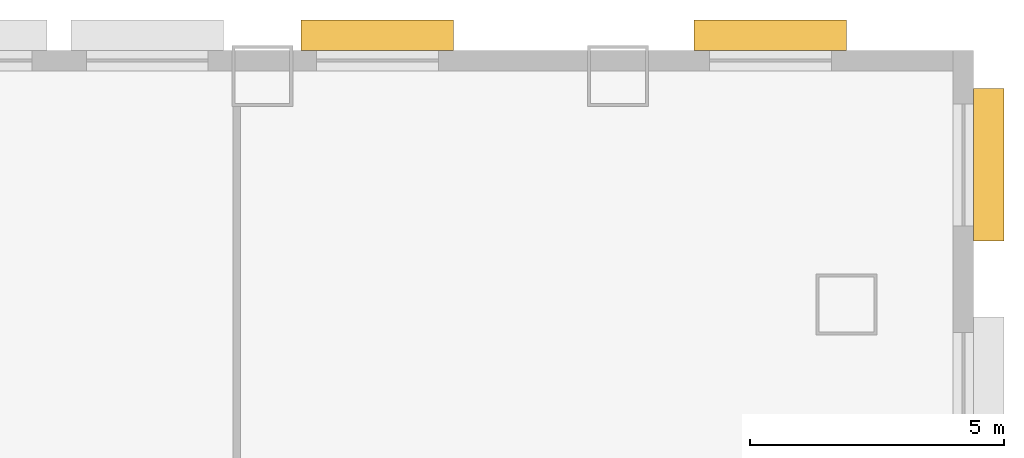
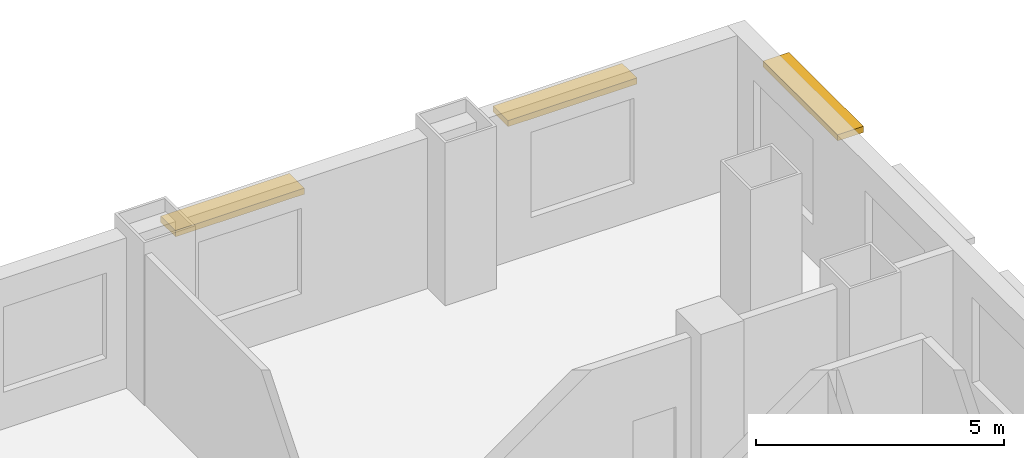
# One storey, part 25 of 25: 3 shading devices.
"""IFC4 building model written with IfcOpenShell, lengths in metres."""

from ifc_helpers import new_model, si_unit, direction, frame, origin, origin_2d, place, context, subcontext, project, spatial, rectangle, extrude, material, layer, layer_set, type_object, element, save


model = new_model("IFC4")

# Units and contexts
model_context = context("Model", 3, precision=1e-05, world=origin(), true_north=direction((0.0, 1.0)))
body_context = subcontext(model_context, "Body", "Model", "MODEL_VIEW")
ifc_project = project(units=[si_unit("LENGTHUNIT", "METRE"), si_unit("AREAUNIT", "SQUARE_METRE"), si_unit("VOLUMEUNIT", "CUBIC_METRE"), si_unit("PLANEANGLEUNIT", "RADIAN"), si_unit("MASSUNIT", "GRAM", prefix="KILO")], contexts=[model_context])

# Site, building, storey
site_placement = place(None, origin())
site = spatial("IfcSite", under=ifc_project, at=site_placement, CompositionType="ELEMENT")
building_placement = place(site_placement, origin())
building = spatial("IfcBuilding", under=site, at=building_placement, Name="Vidyagriha Tower", CompositionType="ELEMENT")
storey_placement = place(building_placement, frame((0.0, 0.0, 10.0)))
storey = spatial("IfcBuildingStorey", under=building, at=storey_placement, Name="L02", CompositionType="ELEMENT", Elevation=10.0)

# Shading devices
ifc_material = material(Name="Precast concrete C40/50 with brick facing", Category="concrete")
ifc_layer = layer(ifc_material, 0.14990234375)
ifc_layer_set = layer_set([ifc_layer], Name="Precast concrete C40/50 with brick facing")
shading_device_type = type_object("IfcShadingDeviceType", Name="Brick chhajja window hood", PredefinedType="AWNING", material=ifc_layer_set)
for number, where, z_axis, x_axis, name in (
    (1, (40.300048828125, 17.75, 3.0), (0.0, 0.0, 1.0), (0.0, 1.0, 0.0), "Window hood L02 R01.19"),
    (2, (36.0, 20.300048828125, 3.0), (0.0, 0.0, 1.0), (-1.0, 0.0, 0.0), "Window hood L02 R02.2"),
    (3, (28.264892578125, 20.300048828125, 3.0), (0.0, 0.0, 1.0), (-1.0, 0.0, 0.0), "Window hood L02 R02.7"),
):
    element("IfcShadingDevice", number, at=place(storey_placement, frame(where, z_axis=z_axis, x_axis=x_axis)), inside=storey, type_object=shading_device_type, Name=name, PredefinedType="AWNING", context=body_context, shape_type="SweptSolid", body=[
        extrude(rectangle(XDim=3.0, YDim=0.60009765625, at=origin_2d()), origin(), (0.0, 0.0, 1.0), 0.14990234375),
    ])

save(model, "model.ifc")
